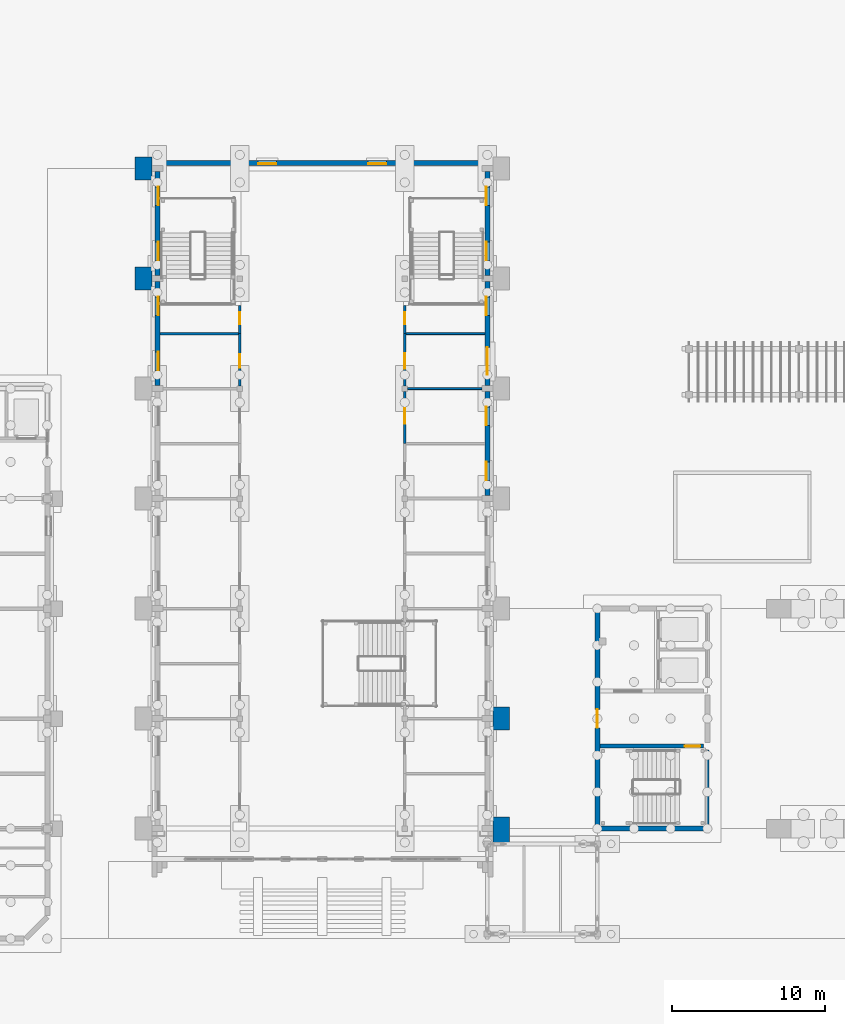
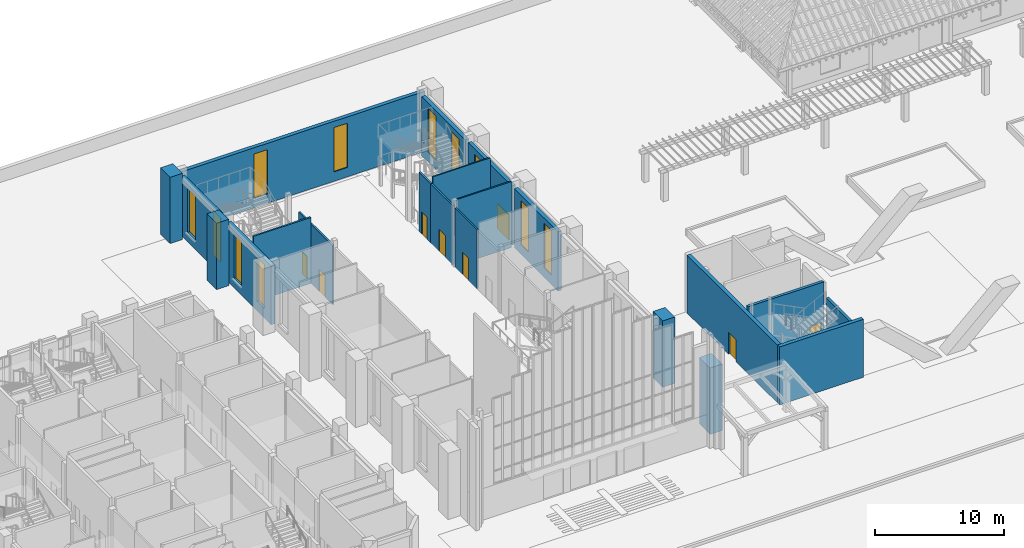
# One storey, part 38 of 84: 22 walls, 11 windows, 8 doors, 19 openings.
"""IFC4 building model written with IfcOpenShell, lengths in metres."""

from ifc_helpers import new_model, si_unit, direction, frame, frame_2d, origin, place, context, subcontext, project, spatial, rectangle, extrude, material, layer, layer_set, type_object, element, fill, save


model = new_model("IFC4")

# Units and contexts
model_context = context("Model", 3, precision=1e-05, world=origin(), true_north=direction((0.0, 1.0)))
body_context = subcontext(model_context, "Body", "Model", "MODEL_VIEW")
ifc_project = project(units=[si_unit("LENGTHUNIT", "METRE"), si_unit("AREAUNIT", "SQUARE_METRE"), si_unit("VOLUMEUNIT", "CUBIC_METRE"), si_unit("PLANEANGLEUNIT", "RADIAN"), si_unit("MASSUNIT", "GRAM", prefix="KILO")], contexts=[model_context])

# Site, building, storey
site_placement = place(None, origin())
site = spatial("IfcSite", under=ifc_project, at=site_placement, CompositionType="ELEMENT")
building_placement = place(site_placement, origin())
building = spatial("IfcBuilding", under=site, at=building_placement, Name="Mazhai Court Health Centre", CompositionType="ELEMENT")
storey_placement = place(building_placement, origin())
storey = spatial("IfcBuildingStorey", under=building, at=storey_placement, Name="L00", CompositionType="ELEMENT", Elevation=0.0)

# Walls
ifc_material_1 = material(Name="Clay brick masonry", Category="masonry")
ifc_layer_1 = layer(ifc_material_1, 1.10009765625)
ifc_layer_set_1 = layer_set([ifc_layer_1], Name="BRICK BUTTRESS PIER 1100")
wall_type_1 = type_object("IfcWallType", Name="BRICK BUTTRESS PIER 1100", PredefinedType="SOLIDWALL", material=ifc_layer_set_1)
for number, where, z_axis, x_axis, name in (
    (1, (41.2900390625, 48.64990234375, 0.0), (0.0, 0.0, 1.0), (0.0, 1.0, 0.0), "EP-V1-L00-W5"),
    (2, (41.2900390625, 55.85009765625, 0.0), (0.0, 0.0, 1.0), (0.0, 1.0, 0.0), "EP-V1-L00-W6"),
):
    element("IfcWall", number, at=place(storey_placement, frame(where, z_axis=z_axis, x_axis=x_axis)), inside=storey, type_object=wall_type_1, Name=name, PredefinedType="SOLIDWALL", context=body_context, shape_type="SweptSolid", body=[
        extrude(rectangle(XDim=1.5, YDim=1.10009765625, at=frame_2d((0.75, 0.0))), origin(), (0.0, 0.0, 1.0), 6.300048828125),
    ])
wall_1_placement = place(storey_placement, frame((64.7099609375, 14.14990234375, 0.0), z_axis=(0.0, 0.0, 1.0), x_axis=(0.0, -1.0, 0.0)))
element("IfcWall", 3, at=wall_1_placement, inside=storey, type_object=wall_type_1, Name="EP-V1-L00-E0", PredefinedType="SOLIDWALL", context=body_context, shape_type="SweptSolid", body=[
    extrude(rectangle(XDim=1.679931640625, YDim=1.10009765625, at=frame_2d((0.83984375, 0.0))), origin(), (0.0, 0.0, 1.0), 6.300048828125),
])
wall_2_placement = place(storey_placement, frame((64.7099609375, 21.35009765625, 0.0), z_axis=(0.0, 0.0, 1.0), x_axis=(0.0, -1.0, 0.0)))
element("IfcWall", 4, at=wall_2_placement, inside=storey, type_object=wall_type_1, Name="EP-V1-L00-E1", PredefinedType="SOLIDWALL", context=body_context, shape_type="SweptSolid", body=[
    extrude(rectangle(XDim=1.5, YDim=1.10009765625, at=frame_2d((0.75, 0.0))), origin(), (0.0, 0.0, 1.0), 6.300048828125),
])
ifc_material_2 = material(Name="Clay brick masonry", Category="masonry")
ifc_layer_2 = layer(ifc_material_2, 0.330078125)
ifc_layer_set_2 = layer_set([ifc_layer_2], Name="BRICK WALL 330 EXTERNAL")
wall_type_2 = type_object("IfcWallType", Name="BRICK WALL 330 EXTERNAL", PredefinedType="SOLIDWALL", material=ifc_layer_set_2)
wall_3_placement = place(storey_placement, frame((70.8349609375, 13.39990234375, 0.0), z_axis=(0.0, 0.0, 1.0), x_axis=(1.0, 0.0, 0.0)))
element("IfcWall", 5, at=wall_3_placement, inside=storey, type_object=wall_type_2, Name="EW-V4-L00-A0", PredefinedType="SOLIDWALL", context=body_context, shape_type="SweptSolid", body=[
    extrude(rectangle(XDim=7.530029296875, YDim=0.330078125, at=frame_2d((3.76513671875, 0.0))), origin(), (0.0, 0.0, 1.0), 5.5),
])

# Wall, opening, door
wall_4_placement = place(storey_placement, frame((71.0, 13.56494140625, 0.0), z_axis=(0.0, 0.0, 1.0), x_axis=(0.0, 1.0, 0.0)))
wall_4 = element("IfcWall", 6, at=wall_4_placement, inside=storey, type_object=wall_type_2, Name="EW-V4-L00-E0a", PredefinedType="SOLIDWALL", context=body_context, shape_type="SweptSolid", body=[
    extrude(rectangle(XDim=14.070068359375, YDim=0.330078125, at=frame_2d((7.03515625, 0.0))), origin(), (0.0, 0.0, 1.0), 5.5),
])
opening_1_placement = place(wall_4_placement, frame((6.43505859375, 0.0, 0.0)))
opening_1 = element("IfcOpeningElement", 7, at=opening_1_placement, cuts=wall_4, Name="Opening D-L00-064", PredefinedType="OPENING", context=body_context, shape_type="SweptSolid", body=[
    extrude(rectangle(XDim=1.199951171875, YDim=2.10009765625, at=frame_2d((0.60009765625, 1.050048828125))), frame((0.0, 0.175048828125, 0.0), z_axis=(0.0, -1.0, 0.0), x_axis=(1.0, 0.0, 0.0)), (0.0, 0.0, 1.0), 0.35009765625),
])
ifc_material_3 = material(Name="Teak timber door, glazed", Category="wood")
door_type_1 = type_object("IfcDoorType", Name="DOOR FIRE EXIT 1200x2100", OperationType="SINGLE_SWING_LEFT", PredefinedType="DOOR", material=ifc_material_3)
door_1_placement = place(opening_1_placement, origin())
door_1 = element("IfcDoor", 8, at=door_1_placement, inside=storey, type_object=door_type_1, Name="L00-E06", OperationType="SINGLE_SWING_LEFT", OverallHeight=2.10009765625, OverallWidth=1.199951171875, PredefinedType="DOOR", context=body_context, shape_type="SweptSolid", body=[
    extrude(rectangle(XDim=1.199951171875, YDim=2.10009765625, at=frame_2d((0.60009765625, 1.050048828125))), frame((0.0, 0.02490234375, 0.0), z_axis=(0.0, -1.0, 0.0), x_axis=(1.0, 0.0, 0.0)), (0.0, 0.0, 1.0), 0.050048828125),
])
fill(opening_1, door_1)

# Wall, openings, windows
wall_5_placement = place(storey_placement, frame((42.199951171875, 42.39990234375, 0.0), z_axis=(0.0, 0.0, 1.0), x_axis=(0.0, 1.0, 0.0)))
wall_5 = element("IfcWall", 9, at=wall_5_placement, inside=storey, type_object=wall_type_2, Name="EW-V1-L00-W4", PredefinedType="SOLIDWALL", context=body_context, shape_type="SweptSolid", body=[
    extrude(rectangle(XDim=6.800048828125, YDim=0.330078125, at=frame_2d((3.39990234375, 0.0))), origin(), (0.0, 0.0, 1.0), 5.6201171875),
])
opening_2_placement = place(wall_5_placement, frame((1.0, 0.0, 0.89990234375)))
opening_2 = element("IfcOpeningElement", 10, at=opening_2_placement, cuts=wall_5, Name="Opening W3", PredefinedType="OPENING", context=body_context, shape_type="SweptSolid", body=[
    extrude(rectangle(XDim=1.199951171875, YDim=4.199951171875, at=frame_2d((0.60009765625, 2.10009765625))), frame((0.0, 0.175048828125, 0.0), z_axis=(0.0, -1.0, 0.0), x_axis=(1.0, 0.0, 0.0)), (0.0, 0.0, 1.0), 0.35009765625),
])
opening_3_placement = place(wall_5_placement, frame((4.60009765625, 0.0, 0.89990234375)))
opening_3 = element("IfcOpeningElement", 11, at=opening_3_placement, cuts=wall_5, Name="Opening W3", PredefinedType="OPENING", context=body_context, shape_type="SweptSolid", body=[
    extrude(rectangle(XDim=1.199951171875, YDim=4.199951171875, at=frame_2d((0.60009765625, 2.10009765625))), frame((0.0, 0.175048828125, 0.0), z_axis=(0.0, -1.0, 0.0), x_axis=(1.0, 0.0, 0.0)), (0.0, 0.0, 1.0), 0.35009765625),
])
ifc_material_4 = material(Name="Teak timber frame, glazed", Category="wood")
window_type = type_object("IfcWindowType", Name="WINDOW HALL 1200x4200", PartitioningType="SINGLE_PANEL", PredefinedType="WINDOW", material=ifc_material_4)
window_1_placement = place(opening_2_placement, origin())
window_1 = element("IfcWindow", 12, at=window_1_placement, inside=storey, type_object=window_type, Name="W3 WN-V1-L00-W4a", OverallHeight=4.199951171875, OverallWidth=1.199951171875, PartitioningType="SINGLE_PANEL", PredefinedType="WINDOW", context=body_context, shape_type="SweptSolid", body=[
    extrude(rectangle(XDim=1.199951171875, YDim=4.199951171875, at=frame_2d((0.60009765625, 2.10009765625))), frame((0.0, -0.030029296875, 0.0), z_axis=(0.0, -1.0, 0.0), x_axis=(1.0, 0.0, 0.0)), (0.0, 0.0, 1.0), 0.06005859375),
])
fill(opening_2, window_1)
window_2_placement = place(opening_3_placement, origin())
window_2 = element("IfcWindow", 13, at=window_2_placement, inside=storey, type_object=window_type, Name="W3 WN-V1-L00-W4b", OverallHeight=4.199951171875, OverallWidth=1.199951171875, PartitioningType="SINGLE_PANEL", PredefinedType="WINDOW", context=body_context, shape_type="SweptSolid", body=[
    extrude(rectangle(XDim=1.199951171875, YDim=4.199951171875, at=frame_2d((0.60009765625, 2.10009765625))), frame((0.0, -0.030029296875, 0.0), z_axis=(0.0, -1.0, 0.0), x_axis=(1.0, 0.0, 0.0)), (0.0, 0.0, 1.0), 0.06005859375),
])
fill(opening_3, window_2)

wall_6_placement = place(storey_placement, frame((42.199951171875, 49.60009765625, 0.0), z_axis=(0.0, 0.0, 1.0), x_axis=(0.0, 1.0, 0.0)))
wall_6 = element("IfcWall", 14, at=wall_6_placement, inside=storey, type_object=wall_type_2, Name="EW-V1-L00-W5", PredefinedType="SOLIDWALL", context=body_context, shape_type="SweptSolid", body=[
    extrude(rectangle(XDim=6.7998046875, YDim=0.330078125, at=frame_2d((3.39990234375, 0.0))), origin(), (0.0, 0.0, 1.0), 5.6201171875),
])
opening_4_placement = place(wall_6_placement, frame((1.0, 0.0, 0.89990234375)))
opening_4 = element("IfcOpeningElement", 15, at=opening_4_placement, cuts=wall_6, Name="Opening W3", PredefinedType="OPENING", context=body_context, shape_type="SweptSolid", body=[
    extrude(rectangle(XDim=1.199951171875, YDim=4.199951171875, at=frame_2d((0.60009765625, 2.10009765625))), frame((0.0, 0.175048828125, 0.0), z_axis=(0.0, -1.0, 0.0), x_axis=(1.0, 0.0, 0.0)), (0.0, 0.0, 1.0), 0.35009765625),
])
opening_5_placement = place(wall_6_placement, frame((4.60009765625, 0.0, 0.89990234375)))
opening_5 = element("IfcOpeningElement", 16, at=opening_5_placement, cuts=wall_6, Name="Opening W3", PredefinedType="OPENING", context=body_context, shape_type="SweptSolid", body=[
    extrude(rectangle(XDim=1.199951171875, YDim=4.199951171875, at=frame_2d((0.60009765625, 2.10009765625))), frame((0.0, 0.175048828125, 0.0), z_axis=(0.0, -1.0, 0.0), x_axis=(1.0, 0.0, 0.0)), (0.0, 0.0, 1.0), 0.35009765625),
])
window_3_placement = place(opening_4_placement, origin())
window_3 = element("IfcWindow", 17, at=window_3_placement, inside=storey, type_object=window_type, Name="W3 WN-V1-L00-W5a", OverallHeight=4.199951171875, OverallWidth=1.199951171875, PartitioningType="SINGLE_PANEL", PredefinedType="WINDOW", context=body_context, shape_type="SweptSolid", body=[
    extrude(rectangle(XDim=1.199951171875, YDim=4.199951171875, at=frame_2d((0.60009765625, 2.10009765625))), frame((0.0, -0.030029296875, 0.0), z_axis=(0.0, -1.0, 0.0), x_axis=(1.0, 0.0, 0.0)), (0.0, 0.0, 1.0), 0.06005859375),
])
fill(opening_4, window_3)
window_4_placement = place(opening_5_placement, origin())
window_4 = element("IfcWindow", 18, at=window_4_placement, inside=storey, type_object=window_type, Name="W3 WN-V1-L00-W5b", OverallHeight=4.199951171875, OverallWidth=1.199951171875, PartitioningType="SINGLE_PANEL", PredefinedType="WINDOW", context=body_context, shape_type="SweptSolid", body=[
    extrude(rectangle(XDim=1.199951171875, YDim=4.199951171875, at=frame_2d((0.60009765625, 2.10009765625))), frame((0.0, -0.030029296875, 0.0), z_axis=(0.0, -1.0, 0.0), x_axis=(1.0, 0.0, 0.0)), (0.0, 0.0, 1.0), 0.06005859375),
])
fill(opening_5, window_4)

wall_7_placement = place(storey_placement, frame((63.800048828125, 42.0, 0.0), z_axis=(0.0, 0.0, 1.0), x_axis=(0.0, -1.0, 0.0)))
wall_7 = element("IfcWall", 19, at=wall_7_placement, inside=storey, type_object=wall_type_2, Name="EW-V1-L00-E3", PredefinedType="SOLIDWALL", context=body_context, shape_type="SweptSolid", body=[
    extrude(rectangle(XDim=6.800048828125, YDim=0.330078125, at=frame_2d((3.39990234375, 0.0))), origin(), (0.0, 0.0, 1.0), 5.6201171875),
])
opening_6_placement = place(wall_7_placement, frame((4.60009765625, 0.0, 0.89990234375)))
opening_6 = element("IfcOpeningElement", 20, at=opening_6_placement, cuts=wall_7, Name="Opening W3", PredefinedType="OPENING", context=body_context, shape_type="SweptSolid", body=[
    extrude(rectangle(XDim=1.199951171875, YDim=4.199951171875, at=frame_2d((0.60009765625, 2.10009765625))), frame((0.0, 0.175048828125, 0.0), z_axis=(0.0, -1.0, 0.0), x_axis=(1.0, 0.0, 0.0)), (0.0, 0.0, 1.0), 0.35009765625),
])
opening_7_placement = place(wall_7_placement, frame((1.0, 0.0, 0.89990234375)))
opening_7 = element("IfcOpeningElement", 21, at=opening_7_placement, cuts=wall_7, Name="Opening W3", PredefinedType="OPENING", context=body_context, shape_type="SweptSolid", body=[
    extrude(rectangle(XDim=1.199951171875, YDim=4.199951171875, at=frame_2d((0.60009765625, 2.10009765625))), frame((0.0, 0.175048828125, 0.0), z_axis=(0.0, -1.0, 0.0), x_axis=(1.0, 0.0, 0.0)), (0.0, 0.0, 1.0), 0.35009765625),
])
window_5_placement = place(opening_6_placement, origin())
window_5 = element("IfcWindow", 22, at=window_5_placement, inside=storey, type_object=window_type, Name="W3 WN-V1-L00-E3a", OverallHeight=4.199951171875, OverallWidth=1.199951171875, PartitioningType="SINGLE_PANEL", PredefinedType="WINDOW", context=body_context, shape_type="SweptSolid", body=[
    extrude(rectangle(XDim=1.199951171875, YDim=4.199951171875, at=frame_2d((0.60009765625, 2.10009765625))), frame((0.0, -0.030029296875, 0.0), z_axis=(0.0, -1.0, 0.0), x_axis=(1.0, 0.0, 0.0)), (0.0, 0.0, 1.0), 0.06005859375),
])
fill(opening_6, window_5)
window_6_placement = place(opening_7_placement, origin())
window_6 = element("IfcWindow", 23, at=window_6_placement, inside=storey, type_object=window_type, Name="W3 WN-V1-L00-E3b", OverallHeight=4.199951171875, OverallWidth=1.199951171875, PartitioningType="SINGLE_PANEL", PredefinedType="WINDOW", context=body_context, shape_type="SweptSolid", body=[
    extrude(rectangle(XDim=1.199951171875, YDim=4.199951171875, at=frame_2d((0.60009765625, 2.10009765625))), frame((0.0, -0.030029296875, 0.0), z_axis=(0.0, -1.0, 0.0), x_axis=(1.0, 0.0, 0.0)), (0.0, 0.0, 1.0), 0.06005859375),
])
fill(opening_7, window_6)

# Wall, openings, door, window
wall_8_placement = place(storey_placement, frame((63.800048828125, 49.199951171875, 0.0), z_axis=(0.0, 0.0, 1.0), x_axis=(0.0, -1.0, 0.0)))
wall_8 = element("IfcWall", 24, at=wall_8_placement, inside=storey, type_object=wall_type_2, Name="EW-V1-L00-E4", PredefinedType="SOLIDWALL", context=body_context, shape_type="SweptSolid", body=[
    extrude(rectangle(XDim=6.800048828125, YDim=0.330078125, at=frame_2d((3.39990234375, 0.0))), origin(), (0.0, 0.0, 1.0), 5.6201171875),
])
opening_8_placement = place(wall_8_placement, frame((4.300048828125, 0.0, 0.0)))
opening_8 = element("IfcOpeningElement", 25, at=opening_8_placement, cuts=wall_8, Name="Opening D-L00-063", PredefinedType="OPENING", context=body_context, shape_type="SweptSolid", body=[
    extrude(rectangle(XDim=1.800048828125, YDim=2.39990234375, at=frame_2d((0.89990234375, 1.199951171875))), frame((0.0, 0.175048828125, 0.0), z_axis=(0.0, -1.0, 0.0), x_axis=(1.0, 0.0, 0.0)), (0.0, 0.0, 1.0), 0.35009765625),
])
opening_9_placement = place(wall_8_placement, frame((1.0, 0.0, 0.89990234375)))
opening_9 = element("IfcOpeningElement", 26, at=opening_9_placement, cuts=wall_8, Name="Opening W3", PredefinedType="OPENING", context=body_context, shape_type="SweptSolid", body=[
    extrude(rectangle(XDim=1.199951171875, YDim=4.199951171875, at=frame_2d((0.60009765625, 2.10009765625))), frame((0.0, 0.175048828125, 0.0), z_axis=(0.0, -1.0, 0.0), x_axis=(1.0, 0.0, 0.0)), (0.0, 0.0, 1.0), 0.35009765625),
])
ifc_material_5 = material(Name="Teak timber door, glazed", Category="wood")
door_type_2 = type_object("IfcDoorType", Name="DOOR ENTRANCE DOUBLE 1800x2400", OperationType="DOUBLE_DOOR_SINGLE_SWING", PredefinedType="DOOR", material=ifc_material_5)
door_2_placement = place(opening_8_placement, origin())
door_2 = element("IfcDoor", 27, at=door_2_placement, inside=storey, type_object=door_type_2, Name="L00-E12", OperationType="DOUBLE_DOOR_SINGLE_SWING", OverallHeight=2.39990234375, OverallWidth=1.800048828125, PredefinedType="DOOR", context=body_context, shape_type="SweptSolid", body=[
    extrude(rectangle(XDim=1.800048828125, YDim=2.39990234375, at=frame_2d((0.89990234375, 1.199951171875))), frame((0.0, 0.02490234375, 0.0), z_axis=(0.0, -1.0, 0.0), x_axis=(1.0, 0.0, 0.0)), (0.0, 0.0, 1.0), 0.050048828125),
])
fill(opening_8, door_2)
window_7_placement = place(opening_9_placement, origin())
window_7 = element("IfcWindow", 28, at=window_7_placement, inside=storey, type_object=window_type, Name="W3 WN-V1-L00-E4b", OverallHeight=4.199951171875, OverallWidth=1.199951171875, PartitioningType="SINGLE_PANEL", PredefinedType="WINDOW", context=body_context, shape_type="SweptSolid", body=[
    extrude(rectangle(XDim=1.199951171875, YDim=4.199951171875, at=frame_2d((0.60009765625, 2.10009765625))), frame((0.0, -0.030029296875, 0.0), z_axis=(0.0, -1.0, 0.0), x_axis=(1.0, 0.0, 0.0)), (0.0, 0.0, 1.0), 0.06005859375),
])
fill(opening_9, window_7)

# Wall, openings, windows
wall_9_placement = place(storey_placement, frame((63.800048828125, 56.39990234375, 0.0), z_axis=(0.0, 0.0, 1.0), x_axis=(0.0, -1.0, 0.0)))
wall_9 = element("IfcWall", 29, at=wall_9_placement, inside=storey, type_object=wall_type_2, Name="EW-V1-L00-E5", PredefinedType="SOLIDWALL", context=body_context, shape_type="SweptSolid", body=[
    extrude(rectangle(XDim=6.7998046875, YDim=0.330078125, at=frame_2d((3.39990234375, 0.0))), origin(), (0.0, 0.0, 1.0), 5.6201171875),
])
opening_10_placement = place(wall_9_placement, frame((4.60009765625, 0.0, 0.89990234375)))
opening_10 = element("IfcOpeningElement", 30, at=opening_10_placement, cuts=wall_9, Name="Opening W3", PredefinedType="OPENING", context=body_context, shape_type="SweptSolid", body=[
    extrude(rectangle(XDim=1.199951171875, YDim=4.199951171875, at=frame_2d((0.60009765625, 2.10009765625))), frame((0.0, 0.175048828125, 0.0), z_axis=(0.0, -1.0, 0.0), x_axis=(1.0, 0.0, 0.0)), (0.0, 0.0, 1.0), 0.35009765625),
])
opening_11_placement = place(wall_9_placement, frame((1.0, 0.0, 0.89990234375)))
opening_11 = element("IfcOpeningElement", 31, at=opening_11_placement, cuts=wall_9, Name="Opening W3", PredefinedType="OPENING", context=body_context, shape_type="SweptSolid", body=[
    extrude(rectangle(XDim=1.199951171875, YDim=4.199951171875, at=frame_2d((0.60009765625, 2.10009765625))), frame((0.0, 0.175048828125, 0.0), z_axis=(0.0, -1.0, 0.0), x_axis=(1.0, 0.0, 0.0)), (0.0, 0.0, 1.0), 0.35009765625),
])
window_8_placement = place(opening_10_placement, origin())
window_8 = element("IfcWindow", 32, at=window_8_placement, inside=storey, type_object=window_type, Name="W3 WN-V1-L00-E5a", OverallHeight=4.199951171875, OverallWidth=1.199951171875, PartitioningType="SINGLE_PANEL", PredefinedType="WINDOW", context=body_context, shape_type="SweptSolid", body=[
    extrude(rectangle(XDim=1.199951171875, YDim=4.199951171875, at=frame_2d((0.60009765625, 2.10009765625))), frame((0.0, -0.030029296875, 0.0), z_axis=(0.0, -1.0, 0.0), x_axis=(1.0, 0.0, 0.0)), (0.0, 0.0, 1.0), 0.06005859375),
])
fill(opening_10, window_8)
window_9_placement = place(opening_11_placement, origin())
window_9 = element("IfcWindow", 33, at=window_9_placement, inside=storey, type_object=window_type, Name="W3 WN-V1-L00-E5b", OverallHeight=4.199951171875, OverallWidth=1.199951171875, PartitioningType="SINGLE_PANEL", PredefinedType="WINDOW", context=body_context, shape_type="SweptSolid", body=[
    extrude(rectangle(XDim=1.199951171875, YDim=4.199951171875, at=frame_2d((0.60009765625, 2.10009765625))), frame((0.0, -0.030029296875, 0.0), z_axis=(0.0, -1.0, 0.0), x_axis=(1.0, 0.0, 0.0)), (0.0, 0.0, 1.0), 0.06005859375),
])
fill(opening_11, window_9)

wall_10_placement = place(storey_placement, frame((41.840087890625, 56.965087890625, 0.0), z_axis=(0.0, 0.0, 1.0), x_axis=(1.0, 0.0, 0.0)))
wall_10 = element("IfcWall", 34, at=wall_10_placement, inside=storey, type_object=wall_type_2, Name="EW-V1-L00-N", PredefinedType="SOLIDWALL", context=body_context, shape_type="SweptSolid", body=[
    extrude(rectangle(XDim=22.31982421875, YDim=0.330078125, at=frame_2d((11.159912109375, 0.0))), origin(), (0.0, 0.0, 1.0), 5.699951171875),
])
opening_12_placement = place(wall_10_placement, frame((6.9599609375, 0.0, 0.89990234375)))
opening_12 = element("IfcOpeningElement", 35, at=opening_12_placement, cuts=wall_10, Name="Opening W3", PredefinedType="OPENING", context=body_context, shape_type="SweptSolid", body=[
    extrude(rectangle(XDim=1.199951171875, YDim=4.199951171875, at=frame_2d((0.60009765625, 2.10009765625))), frame((0.0, 0.175048828125, 0.0), z_axis=(0.0, -1.0, 0.0), x_axis=(1.0, 0.0, 0.0)), (0.0, 0.0, 1.0), 0.35009765625),
])
opening_13_placement = place(wall_10_placement, frame((14.159912109375, 0.0, 0.89990234375)))
opening_13 = element("IfcOpeningElement", 36, at=opening_13_placement, cuts=wall_10, Name="Opening W3", PredefinedType="OPENING", context=body_context, shape_type="SweptSolid", body=[
    extrude(rectangle(XDim=1.199951171875, YDim=4.199951171875, at=frame_2d((0.60009765625, 2.10009765625))), frame((0.0, 0.175048828125, 0.0), z_axis=(0.0, -1.0, 0.0), x_axis=(1.0, 0.0, 0.0)), (0.0, 0.0, 1.0), 0.35009765625),
])
window_10_placement = place(opening_12_placement, origin())
window_10 = element("IfcWindow", 37, at=window_10_placement, inside=storey, type_object=window_type, Name="W3 WN-V1-L00-N-3", OverallHeight=4.199951171875, OverallWidth=1.199951171875, PartitioningType="SINGLE_PANEL", PredefinedType="WINDOW", context=body_context, shape_type="SweptSolid", body=[
    extrude(rectangle(XDim=1.199951171875, YDim=4.199951171875, at=frame_2d((0.60009765625, 2.10009765625))), frame((0.0, -0.030029296875, 0.0), z_axis=(0.0, -1.0, 0.0), x_axis=(1.0, 0.0, 0.0)), (0.0, 0.0, 1.0), 0.06005859375),
])
fill(opening_12, window_10)
window_11_placement = place(opening_13_placement, origin())
window_11 = element("IfcWindow", 38, at=window_11_placement, inside=storey, type_object=window_type, Name="W3 WN-V1-L00-N3", OverallHeight=4.199951171875, OverallWidth=1.199951171875, PartitioningType="SINGLE_PANEL", PredefinedType="WINDOW", context=body_context, shape_type="SweptSolid", body=[
    extrude(rectangle(XDim=1.199951171875, YDim=4.199951171875, at=frame_2d((0.60009765625, 2.10009765625))), frame((0.0, -0.030029296875, 0.0), z_axis=(0.0, -1.0, 0.0), x_axis=(1.0, 0.0, 0.0)), (0.0, 0.0, 1.0), 0.06005859375),
])
fill(opening_13, window_11)

# Walls
ifc_material_6 = material(Name="Gypsum plasterboard partition")
ifc_layer_3 = layer(ifc_material_6, 0.125)
ifc_layer_set_3 = layer_set([ifc_layer_3], Name="PARTITION 125 STUD EI30")
wall_type_3 = type_object("IfcWallType", Name="PARTITION 125 STUD EI30", PredefinedType="PARTITIONING", material=ifc_layer_set_3)
wall_11_placement = place(storey_placement, frame((63.43994140625, 42.199951171875, 0.0), z_axis=(0.0, 0.0, 1.0), x_axis=(-1.0, 0.0, 0.0)))
element("IfcWall", 39, at=wall_11_placement, inside=storey, type_object=wall_type_3, Name="wall-V1-L00-E-cross-7a", PredefinedType="PARTITIONING", context=body_context, shape_type="SweptSolid", body=[
    extrude(rectangle(XDim=4.85986328125, YDim=0.125, at=frame_2d((2.429931640625, 0.0))), origin(), (0.0, 0.0, 1.0), 6.260009765625),
])
wall_12_placement = place(storey_placement, frame((63.635009765625, 45.800048828125, 0.0), z_axis=(0.0, 0.0, 1.0), x_axis=(-1.0, 0.0, 0.0)))
element("IfcWall", 40, at=wall_12_placement, inside=storey, type_object=wall_type_3, Name="wall-V1-L00-E-cross-8a", PredefinedType="PARTITIONING", context=body_context, shape_type="SweptSolid", body=[
    extrude(rectangle(XDim=5.159912109375, YDim=0.125, at=frame_2d((2.580078125, 0.0))), origin(), (0.0, 0.0, 1.0), 6.260009765625),
])

# Wall, opening, door
ifc_material_7 = material(Name="Gypsum plasterboard partition")
ifc_layer_4 = layer(ifc_material_7, 0.14990234375)
ifc_layer_set_4 = layer_set([ifc_layer_4], Name="PARTITION 150 CORRIDOR EI60")
wall_type_4 = type_object("IfcWallType", Name="PARTITION 150 CORRIDOR EI60", PredefinedType="PARTITIONING", material=ifc_layer_set_4)
wall_13_placement = place(storey_placement, frame((47.60009765625, 45.800048828125, 0.0), z_axis=(0.0, 0.0, 1.0), x_axis=(0.0, -1.0, 0.0)))
wall_13 = element("IfcWall", 41, at=wall_13_placement, inside=storey, type_object=wall_type_4, Name="wall-V1-L00-W-corr-6a", PredefinedType="PARTITIONING", context=body_context, shape_type="SweptSolid", body=[
    extrude(rectangle(XDim=3.420166015625, YDim=0.14990234375, at=frame_2d((1.7099609375, 0.0))), origin(), (0.0, 0.0, 1.0), 5.6201171875),
])
opening_14_placement = place(wall_13_placement, frame((1.35009765625, 0.0, 0.0)))
opening_14 = element("IfcOpeningElement", 42, at=opening_14_placement, cuts=wall_13, Name="Opening D-L00-047", PredefinedType="OPENING", context=body_context, shape_type="SweptSolid", body=[
    extrude(rectangle(XDim=0.89990234375, YDim=2.10009765625, at=frame_2d((0.449951171875, 1.050048828125))), frame((0.0, 0.0849609375, 0.0), z_axis=(0.0, -1.0, 0.0), x_axis=(1.0, 0.0, 0.0)), (0.0, 0.0, 1.0), 0.169921875),
])
ifc_material_8 = material(Name="Hardwood door leaf", Category="wood")
door_type_3 = type_object("IfcDoorType", Name="DOOR 900x2100 FD30S SINGLE", OperationType="NOTDEFINED", PredefinedType="DOOR", material=ifc_material_8)
door_3_placement = place(opening_14_placement, origin())
door_3 = element("IfcDoor", 43, at=door_3_placement, inside=storey, type_object=door_type_3, Name="door-V1-L00-W-accessible-wc", OperationType="SINGLE_SWING_RIGHT", OverallHeight=2.10009765625, OverallWidth=0.89990234375, PredefinedType="DOOR", context=body_context, shape_type="SweptSolid", body=[
    extrude(rectangle(XDim=0.89990234375, YDim=2.10009765625, at=frame_2d((0.449951171875, 1.050048828125))), frame((0.0, 0.02490234375, 0.0), z_axis=(0.0, -1.0, 0.0), x_axis=(1.0, 0.0, 0.0)), (0.0, 0.0, 1.0), 0.050048828125),
])
fill(opening_14, door_3)

wall_14_placement = place(storey_placement, frame((47.60009765625, 45.800048828125, 0.0), z_axis=(0.0, 0.0, 1.0), x_axis=(0.0, 1.0, 0.0)))
wall_14 = element("IfcWall", 44, at=wall_14_placement, inside=storey, type_object=wall_type_4, Name="wall-V1-L00-W-corr-7a", PredefinedType="PARTITIONING", context=body_context, shape_type="SweptSolid", body=[
    extrude(rectangle(XDim=1.8349609375, YDim=0.14990234375, at=frame_2d((0.91748046875, 0.0))), origin(), (0.0, 0.0, 1.0), 5.6201171875),
])
opening_15_placement = place(wall_14_placement, frame((0.60009765625, 0.0, 0.0)))
opening_15 = element("IfcOpeningElement", 45, at=opening_15_placement, cuts=wall_14, Name="Opening D-L00-048", PredefinedType="OPENING", context=body_context, shape_type="SweptSolid", body=[
    extrude(rectangle(XDim=0.800048828125, YDim=2.10009765625, at=frame_2d((0.39990234375, 1.050048828125))), frame((0.0, 0.0849609375, 0.0), z_axis=(0.0, -1.0, 0.0), x_axis=(1.0, 0.0, 0.0)), (0.0, 0.0, 1.0), 0.169921875),
])
ifc_material_9 = material(Name="Hardwood door leaf", Category="wood")
door_type_4 = type_object("IfcDoorType", Name="DOOR 800x2100 FD30S SINGLE", OperationType="NOTDEFINED", PredefinedType="DOOR", material=ifc_material_9)
door_4_placement = place(opening_15_placement, origin())
door_4 = element("IfcDoor", 46, at=door_4_placement, inside=storey, type_object=door_type_4, Name="door-V1-L00-W-cleaners-store", OperationType="SINGLE_SWING_RIGHT", OverallHeight=2.10009765625, OverallWidth=0.800048828125, PredefinedType="DOOR", context=body_context, shape_type="SweptSolid", body=[
    extrude(rectangle(XDim=0.800048828125, YDim=2.10009765625, at=frame_2d((0.39990234375, 1.050048828125))), frame((0.0, 0.02490234375, 0.0), z_axis=(0.0, -1.0, 0.0), x_axis=(1.0, 0.0, 0.0)), (0.0, 0.0, 1.0), 0.050048828125),
])
fill(opening_15, door_4)

wall_15_placement = place(storey_placement, frame((58.39990234375, 42.02001953125, 0.0), z_axis=(0.0, 0.0, 1.0), x_axis=(0.0, -1.0, 0.0)))
wall_15 = element("IfcWall", 47, at=wall_15_placement, inside=storey, type_object=wall_type_4, Name="wall-V1-L00-E-corr-6a", PredefinedType="PARTITIONING", context=body_context, shape_type="SweptSolid", body=[
    extrude(rectangle(XDim=3.419921875, YDim=0.14990234375, at=frame_2d((1.7099609375, 0.0))), origin(), (0.0, 0.0, 1.0), 5.6201171875),
])
opening_16_placement = place(wall_15_placement, frame((1.1201171875, 0.0, 0.0)))
opening_16 = element("IfcOpeningElement", 48, at=opening_16_placement, cuts=wall_15, Name="Opening D-L00-059", PredefinedType="OPENING", context=body_context, shape_type="SweptSolid", body=[
    extrude(rectangle(XDim=1.0, YDim=2.10009765625, at=frame_2d((0.5, 1.050048828125))), frame((0.0, 0.0849609375, 0.0), z_axis=(0.0, -1.0, 0.0), x_axis=(1.0, 0.0, 0.0)), (0.0, 0.0, 1.0), 0.169921875),
])
ifc_material_10 = material(Name="Hardwood door leaf", Category="wood")
door_type_5 = type_object("IfcDoorType", Name="DOOR 1000x2100 FD30S SINGLE", OperationType="NOTDEFINED", PredefinedType="DOOR", material=ifc_material_10)
door_5_placement = place(opening_16_placement, origin())
door_5 = element("IfcDoor", 49, at=door_5_placement, inside=storey, type_object=door_type_5, Name="door-V1-L00-E-nurse-screening-room-2", OperationType="SINGLE_SWING_LEFT", OverallHeight=2.10009765625, OverallWidth=1.0, PredefinedType="DOOR", context=body_context, shape_type="SweptSolid", body=[
    extrude(rectangle(XDim=1.0, YDim=2.10009765625, at=frame_2d((0.5, 1.050048828125))), frame((0.0, 0.02490234375, 0.0), z_axis=(0.0, -1.0, 0.0), x_axis=(1.0, 0.0, 0.0)), (0.0, 0.0, 1.0), 0.050048828125),
])
fill(opening_16, door_5)

wall_16_placement = place(storey_placement, frame((58.39990234375, 45.800048828125, 0.0), z_axis=(0.0, 0.0, 1.0), x_axis=(0.0, -1.0, 0.0)))
wall_16 = element("IfcWall", 50, at=wall_16_placement, inside=storey, type_object=wall_type_4, Name="wall-V1-L00-E-corr-7a", PredefinedType="PARTITIONING", context=body_context, shape_type="SweptSolid", body=[
    extrude(rectangle(XDim=3.420166015625, YDim=0.14990234375, at=frame_2d((1.7099609375, 0.0))), origin(), (0.0, 0.0, 1.0), 5.6201171875),
])
opening_17_placement = place(wall_16_placement, frame((1.300048828125, 0.0, 0.0)))
opening_17 = element("IfcOpeningElement", 51, at=opening_17_placement, cuts=wall_16, Name="Opening D-L00-060", PredefinedType="OPENING", context=body_context, shape_type="SweptSolid", body=[
    extrude(rectangle(XDim=1.0, YDim=2.10009765625, at=frame_2d((0.5, 1.050048828125))), frame((0.0, 0.0849609375, 0.0), z_axis=(0.0, -1.0, 0.0), x_axis=(1.0, 0.0, 0.0)), (0.0, 0.0, 1.0), 0.169921875),
])
door_6_placement = place(opening_17_placement, origin())
door_6 = element("IfcDoor", 52, at=door_6_placement, inside=storey, type_object=door_type_5, Name="door-V1-L00-E-baby-care-room", OperationType="SINGLE_SWING_RIGHT", OverallHeight=2.10009765625, OverallWidth=1.0, PredefinedType="DOOR", context=body_context, shape_type="SweptSolid", body=[
    extrude(rectangle(XDim=1.0, YDim=2.10009765625, at=frame_2d((0.5, 1.050048828125))), frame((0.0, 0.02490234375, 0.0), z_axis=(0.0, -1.0, 0.0), x_axis=(1.0, 0.0, 0.0)), (0.0, 0.0, 1.0), 0.050048828125),
])
fill(opening_17, door_6)

wall_17_placement = place(storey_placement, frame((58.39990234375, 47.635009765625, 0.0), z_axis=(0.0, 0.0, 1.0), x_axis=(0.0, -1.0, 0.0)))
wall_17 = element("IfcWall", 53, at=wall_17_placement, inside=storey, type_object=wall_type_4, Name="wall-V1-L00-E-corr-8a", PredefinedType="PARTITIONING", context=body_context, shape_type="SweptSolid", body=[
    extrude(rectangle(XDim=1.8349609375, YDim=0.14990234375, at=frame_2d((0.91748046875, 0.0))), origin(), (0.0, 0.0, 1.0), 5.6201171875),
])
opening_18_placement = place(wall_17_placement, frame((0.43505859375, 0.0, 0.0)))
opening_18 = element("IfcOpeningElement", 54, at=opening_18_placement, cuts=wall_17, Name="Opening D-L00-061", PredefinedType="OPENING", context=body_context, shape_type="SweptSolid", body=[
    extrude(rectangle(XDim=0.800048828125, YDim=2.10009765625, at=frame_2d((0.39990234375, 1.050048828125))), frame((0.0, 0.0849609375, 0.0), z_axis=(0.0, -1.0, 0.0), x_axis=(1.0, 0.0, 0.0)), (0.0, 0.0, 1.0), 0.169921875),
])
door_7_placement = place(opening_18_placement, origin())
door_7 = element("IfcDoor", 55, at=door_7_placement, inside=storey, type_object=door_type_4, Name="door-V1-L00-E-wheelchair-store", OperationType="SINGLE_SWING_LEFT", OverallHeight=2.10009765625, OverallWidth=0.800048828125, PredefinedType="DOOR", context=body_context, shape_type="SweptSolid", body=[
    extrude(rectangle(XDim=0.800048828125, YDim=2.10009765625, at=frame_2d((0.39990234375, 1.050048828125))), frame((0.0, 0.02490234375, 0.0), z_axis=(0.0, -1.0, 0.0), x_axis=(1.0, 0.0, 0.0)), (0.0, 0.0, 1.0), 0.050048828125),
])
fill(opening_18, door_7)

# Wall
ifc_material_11 = material(Name="Gypsum plasterboard partition")
ifc_layer_5 = layer(ifc_material_11, 0.14990234375)
ifc_layer_set_5 = layer_set([ifc_layer_5], Name="PARTITION 150 WET AREA EI30")
wall_type_5 = type_object("IfcWallType", Name="PARTITION 150 WET AREA EI30", PredefinedType="PARTITIONING", material=ifc_layer_set_5)
wall_18_placement = place(storey_placement, frame((42.364990234375, 45.800048828125, 0.0), z_axis=(0.0, 0.0, 1.0), x_axis=(1.0, 0.0, 0.0)))
element("IfcWall", 56, at=wall_18_placement, inside=storey, type_object=wall_type_5, Name="wall-V1-L00-W-cross-7a", PredefinedType="PARTITIONING", context=body_context, shape_type="SweptSolid", body=[
    extrude(rectangle(XDim=5.159912109375, YDim=0.14990234375, at=frame_2d((2.580078125, 0.0))), origin(), (0.0, 0.0, 1.0), 6.260009765625),
])

# Wall, opening, door
ifc_material_12 = material(Name="Concrete M40", Category="concrete")
ifc_layer_6 = layer(ifc_material_12, 0.25)
ifc_layer_set_6 = layer_set([ifc_layer_6], Name="RC CORE WALL 250 M40")
wall_type_6 = type_object("IfcWallType", Name="RC CORE WALL 250 M40", PredefinedType="SHEAR", material=ifc_layer_set_6)
wall_19_placement = place(storey_placement, frame((71.1650390625, 18.800048828125, 0.0), z_axis=(0.0, 0.0, 1.0), x_axis=(1.0, 0.0, 0.0)))
wall_19 = element("IfcWall", 57, at=wall_19_placement, inside=storey, type_object=wall_type_6, Name="core-C6-w-stair-corr-L00", PredefinedType="SHEAR", context=body_context, shape_type="SweptSolid", body=[
    extrude(rectangle(XDim=6.784912109375, YDim=0.25, at=frame_2d((3.392578125, 0.0))), origin(), (0.0, 0.0, 1.0), 5.89990234375),
])
opening_19_placement = place(wall_19_placement, frame((5.56005859375, 0.0, 0.0)))
opening_19 = element("IfcOpeningElement", 58, at=opening_19_placement, cuts=wall_19, Name="Opening D-L00-066", PredefinedType="OPENING", context=body_context, shape_type="SweptSolid", body=[
    extrude(rectangle(XDim=1.0, YDim=2.10009765625, at=frame_2d((0.5, 1.050048828125))), frame((0.0, 0.135009765625, 0.0), z_axis=(0.0, -1.0, 0.0), x_axis=(1.0, 0.0, 0.0)), (0.0, 0.0, 1.0), 0.27001953125),
])
ifc_material_13 = material(Name="Steel fire door leaf", Category="steel")
door_type_6 = type_object("IfcDoorType", Name="FD120S STAIR DOOR 1000x2100", OperationType="SINGLE_SWING_LEFT", PredefinedType="DOOR", material=ifc_material_13)
door_8_placement = place(opening_19_placement, origin())
door_8 = element("IfcDoor", 59, at=door_8_placement, inside=storey, type_object=door_type_6, Name="Stair 6 door L00", OperationType="SINGLE_SWING_RIGHT", OverallHeight=2.10009765625, OverallWidth=1.0, PredefinedType="DOOR", context=body_context, shape_type="SweptSolid", body=[
    extrude(rectangle(XDim=1.0, YDim=2.10009765625, at=frame_2d((0.5, 1.050048828125))), frame((0.0, 0.02490234375, 0.0), z_axis=(0.0, -1.0, 0.0), x_axis=(1.0, 0.0, 0.0)), (0.0, 0.0, 1.0), 0.050048828125),
])
fill(opening_19, door_8)

# Wall
wall_20_placement = place(storey_placement, frame((78.199951171875, 13.64990234375, 0.0), z_axis=(0.0, 0.0, 1.0), x_axis=(0.0, 1.0, 0.0)))
element("IfcWall", 60, at=wall_20_placement, inside=storey, type_object=wall_type_6, Name="core-C6-w-stair-line0-L00", PredefinedType="SHEAR", context=body_context, shape_type="SweptSolid", body=[
    extrude(rectangle(XDim=4.900146484375, YDim=0.25, at=frame_2d((2.4501953125, 0.0))), origin(), (0.0, 0.0, 1.0), 4.39990234375),
])

save(model, "model.ifc")
